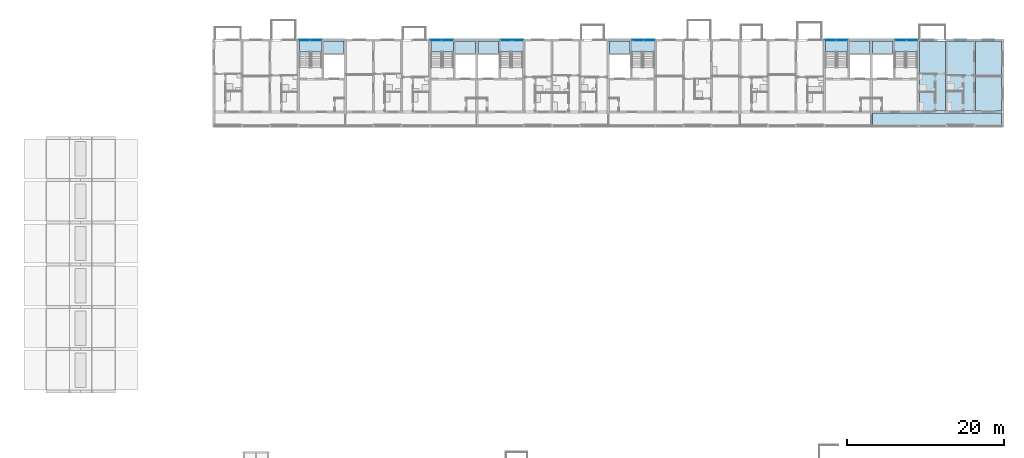
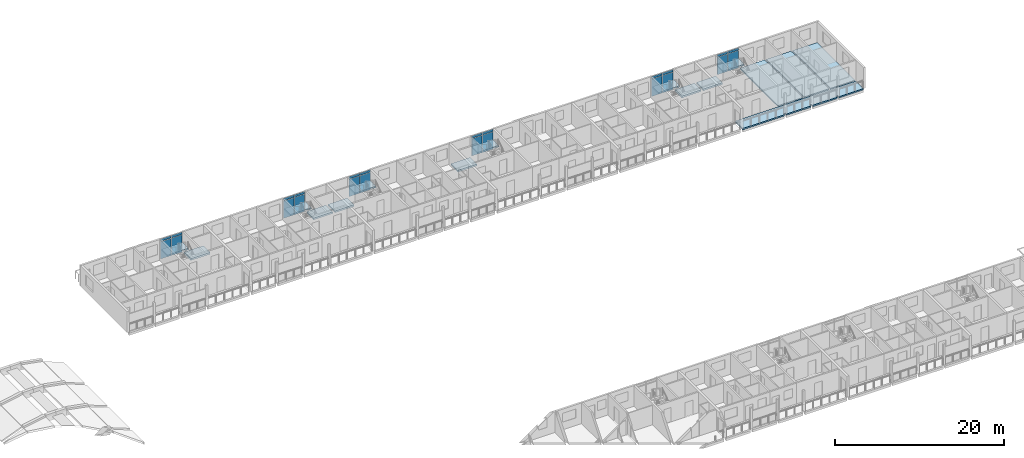
# One storey, part 28 of 93: 24 plates, 16 slabs, 12 elements without a shape of their own.
"""IFC4 building model written with IfcOpenShell, lengths in metres."""

from ifc_helpers import new_model, si_unit, direction, frame, origin, origin_2d, place, context, subcontext, project, spatial, polyline, rectangle, outline, extrude, material, layer, layer_set, type_object, element, aggregate, save


model = new_model("IFC4")

# Units and contexts
model_context = context("Model", 3, precision=1e-05, world=origin(), true_north=direction((0.0, 1.0)))
body_context = subcontext(model_context, "Body", "Model", "MODEL_VIEW")
ifc_project = project(units=[si_unit("LENGTHUNIT", "METRE"), si_unit("AREAUNIT", "SQUARE_METRE"), si_unit("VOLUMEUNIT", "CUBIC_METRE"), si_unit("PLANEANGLEUNIT", "RADIAN"), si_unit("MASSUNIT", "GRAM", prefix="KILO")], contexts=[model_context])

# Site, building, storey
site_placement = place(None, origin())
site = spatial("IfcSite", under=ifc_project, at=site_placement, CompositionType="ELEMENT")
building_placement = place(site_placement, origin())
building = spatial("IfcBuilding", under=site, at=building_placement, Name="Ridgestep Commons", CompositionType="ELEMENT")
storey_placement = place(building_placement, frame((0.0, 0.0, 18.0)))
storey = spatial("IfcBuildingStorey", under=building, at=storey_placement, Name="L06", CompositionType="ELEMENT", Elevation=18.0)

# Slab
ifc_material_1 = material(Name="Precast concrete C40/50", Category="concrete")
ifc_layer_1 = layer(ifc_material_1, 0.199951171875)
ifc_layer_set_1 = layer_set([ifc_layer_1], Name="Gallery slab 200")
slab_type_1 = type_object("IfcSlabType", Name="Gallery slab 200", PredefinedType="FLOOR", material=ifc_layer_set_1)
slab_1_placement = place(storey_placement, frame((0.0, 0.0, -0.199951171875)))
element("IfcSlab", 1, at=slab_1_placement, inside=storey, type_object=slab_type_1, Name="Gallery slab C6 L06", PredefinedType="FLOOR", context=body_context, shape_type="SweptSolid", body=[
    extrude(outline(polyline([(247.449951171875, 67.800048828125), (230.949951171875, 67.800048828125), (230.949951171875, 66.0), (236.675048828125, 66.0), (236.675048828125, 66.25), (236.925048828125, 66.25), (236.925048828125, 66.0), (240.27490234375, 66.0), (240.27490234375, 66.25), (240.52490234375, 66.25), (240.52490234375, 66.0), (243.875, 66.0), (243.875, 66.25), (244.125, 66.25), (244.125, 66.0), (247.449951171875, 66.0), (247.449951171875, 67.800048828125)])), origin(), (0.0, 0.0, 1.0), 0.199951171875),
])

# Curtain wall, plates
ifc_material_2 = material(Name="Aluminium 6063-T6 and glass", Category="aluminium")
curtain_wall_type = type_object("IfcCurtainWallType", Name="Curtain wall stair strip", PredefinedType="NOTDEFINED", material=ifc_material_2)
curtain_wall_1_placement = place(storey_placement, origin())
curtain_wall_1 = element("IfcCurtainWall", 2, at=curtain_wall_1_placement, inside=storey, type_object=curtain_wall_type, Name="Curtain wall C1C level 06", PredefinedType="NOTDEFINED")
ifc_material_3 = material(Name="Glass laminated 6/16/6 low-emissivity", Category="glass")
ifc_layer_2 = layer(ifc_material_3, 0.028076171875)
ifc_layer_set_2 = layer_set([ifc_layer_2], Name="Glazing panel 28")
plate_type_1 = type_object("IfcPlateType", Name="Glazing panel 28", PredefinedType="CURTAIN_PANEL", material=ifc_layer_set_2)
plate_1_placement = place(storey_placement, frame((158.371337890625, 77.080078125, 0.06005859375), z_axis=(0.0, 0.0, 1.0), x_axis=(1.0, 0.0, 0.0)))
plate_1 = element("IfcPlate", 3, at=plate_1_placement, type_object=plate_type_1, Name="CW1 panel 1.1", PredefinedType="CURTAIN_PANEL", context=body_context, shape_type="SweptSolid", body=[
    extrude(rectangle(XDim=1.422607421875, YDim=0.028076171875, at=origin_2d()), origin(), (0.0, 0.0, 1.0), 2.5),
])
plate_2_placement = place(storey_placement, frame((159.853759765625, 77.080078125, 0.06005859375), z_axis=(0.0, 0.0, 1.0), x_axis=(1.0, 0.0, 0.0)))
plate_2 = element("IfcPlate", 4, at=plate_2_placement, type_object=plate_type_1, Name="CW1 panel 2.1", PredefinedType="CURTAIN_PANEL", context=body_context, shape_type="SweptSolid", body=[
    extrude(rectangle(XDim=1.422607421875, YDim=0.028076171875, at=origin_2d()), origin(), (0.0, 0.0, 1.0), 2.5),
])

curtain_wall_2_placement = place(storey_placement, origin())
curtain_wall_2 = element("IfcCurtainWall", 5, at=curtain_wall_2_placement, inside=storey, type_object=curtain_wall_type, Name="Curtain wall C2C level 06", PredefinedType="NOTDEFINED")
plate_3_placement = place(storey_placement, frame((175.171142578125, 77.080078125, 0.06005859375), z_axis=(0.0, 0.0, 1.0), x_axis=(1.0, 0.0, 0.0)))
plate_3 = element("IfcPlate", 6, at=plate_3_placement, type_object=plate_type_1, Name="CW1 panel 1.1", PredefinedType="CURTAIN_PANEL", context=body_context, shape_type="SweptSolid", body=[
    extrude(rectangle(XDim=1.422607421875, YDim=0.028076171875, at=origin_2d()), origin(), (0.0, 0.0, 1.0), 2.5),
])
plate_4_placement = place(storey_placement, frame((176.65380859375, 77.080078125, 0.06005859375), z_axis=(0.0, 0.0, 1.0), x_axis=(1.0, 0.0, 0.0)))
plate_4 = element("IfcPlate", 7, at=plate_4_placement, type_object=plate_type_1, Name="CW1 panel 2.1", PredefinedType="CURTAIN_PANEL", context=body_context, shape_type="SweptSolid", body=[
    extrude(rectangle(XDim=1.422607421875, YDim=0.028076171875, at=origin_2d()), origin(), (0.0, 0.0, 1.0), 2.5),
])

curtain_wall_3_placement = place(storey_placement, origin())
curtain_wall_3 = element("IfcCurtainWall", 8, at=curtain_wall_3_placement, inside=storey, type_object=curtain_wall_type, Name="Curtain wall C3C level 06", PredefinedType="NOTDEFINED")
plate_5_placement = place(storey_placement, frame((184.146240234375, 77.080078125, 0.06005859375), z_axis=(0.0, 0.0, 1.0), x_axis=(1.0, 0.0, 0.0)))
plate_5 = element("IfcPlate", 9, at=plate_5_placement, type_object=plate_type_1, Name="CW1 panel 1.1", PredefinedType="CURTAIN_PANEL", context=body_context, shape_type="SweptSolid", body=[
    extrude(rectangle(XDim=1.422607421875, YDim=0.028076171875, at=origin_2d()), origin(), (0.0, 0.0, 1.0), 2.5),
])
plate_6_placement = place(storey_placement, frame((185.628662109375, 77.080078125, 0.06005859375), z_axis=(0.0, 0.0, 1.0), x_axis=(1.0, 0.0, 0.0)))
plate_6 = element("IfcPlate", 10, at=plate_6_placement, type_object=plate_type_1, Name="CW1 panel 2.1", PredefinedType="CURTAIN_PANEL", context=body_context, shape_type="SweptSolid", body=[
    extrude(rectangle(XDim=1.422607421875, YDim=0.028076171875, at=origin_2d()), origin(), (0.0, 0.0, 1.0), 2.5),
])

curtain_wall_4_placement = place(storey_placement, origin())
curtain_wall_4 = element("IfcCurtainWall", 11, at=curtain_wall_4_placement, inside=storey, type_object=curtain_wall_type, Name="Curtain wall C4C level 06", PredefinedType="NOTDEFINED")
plate_7_placement = place(storey_placement, frame((200.9462890625, 77.080078125, 0.06005859375), z_axis=(0.0, 0.0, 1.0), x_axis=(1.0, 0.0, 0.0)))
plate_7 = element("IfcPlate", 12, at=plate_7_placement, type_object=plate_type_1, Name="CW1 panel 1.1", PredefinedType="CURTAIN_PANEL", context=body_context, shape_type="SweptSolid", body=[
    extrude(rectangle(XDim=1.422607421875, YDim=0.028076171875, at=origin_2d()), origin(), (0.0, 0.0, 1.0), 2.5),
])
plate_8_placement = place(storey_placement, frame((202.4287109375, 77.080078125, 0.06005859375), z_axis=(0.0, 0.0, 1.0), x_axis=(1.0, 0.0, 0.0)))
plate_8 = element("IfcPlate", 13, at=plate_8_placement, type_object=plate_type_1, Name="CW1 panel 2.1", PredefinedType="CURTAIN_PANEL", context=body_context, shape_type="SweptSolid", body=[
    extrude(rectangle(XDim=1.422607421875, YDim=0.028076171875, at=origin_2d()), origin(), (0.0, 0.0, 1.0), 2.5),
])

curtain_wall_5_placement = place(storey_placement, origin())
curtain_wall_5 = element("IfcCurtainWall", 14, at=curtain_wall_5_placement, inside=storey, type_object=curtain_wall_type, Name="Curtain wall C5C level 06", PredefinedType="NOTDEFINED")
plate_9_placement = place(storey_placement, frame((225.5712890625, 77.080078125, 0.06005859375), z_axis=(0.0, 0.0, 1.0), x_axis=(1.0, 0.0, 0.0)))
plate_9 = element("IfcPlate", 15, at=plate_9_placement, type_object=plate_type_1, Name="CW1 panel 1.1", PredefinedType="CURTAIN_PANEL", context=body_context, shape_type="SweptSolid", body=[
    extrude(rectangle(XDim=1.422607421875, YDim=0.028076171875, at=origin_2d()), origin(), (0.0, 0.0, 1.0), 2.5),
])
plate_10_placement = place(storey_placement, frame((227.0537109375, 77.080078125, 0.06005859375), z_axis=(0.0, 0.0, 1.0), x_axis=(1.0, 0.0, 0.0)))
plate_10 = element("IfcPlate", 16, at=plate_10_placement, type_object=plate_type_1, Name="CW1 panel 2.1", PredefinedType="CURTAIN_PANEL", context=body_context, shape_type="SweptSolid", body=[
    extrude(rectangle(XDim=1.422607421875, YDim=0.028076171875, at=origin_2d()), origin(), (0.0, 0.0, 1.0), 2.5),
])

curtain_wall_6_placement = place(storey_placement, origin())
curtain_wall_6 = element("IfcCurtainWall", 17, at=curtain_wall_6_placement, inside=storey, type_object=curtain_wall_type, Name="Curtain wall C6C level 06", PredefinedType="NOTDEFINED")
plate_11_placement = place(storey_placement, frame((234.546142578125, 77.080078125, 0.06005859375), z_axis=(0.0, 0.0, 1.0), x_axis=(1.0, 0.0, 0.0)))
plate_11 = element("IfcPlate", 18, at=plate_11_placement, type_object=plate_type_1, Name="CW1 panel 1.1", PredefinedType="CURTAIN_PANEL", context=body_context, shape_type="SweptSolid", body=[
    extrude(rectangle(XDim=1.422607421875, YDim=0.028076171875, at=origin_2d()), origin(), (0.0, 0.0, 1.0), 2.5),
])
plate_12_placement = place(storey_placement, frame((236.02880859375, 77.080078125, 0.06005859375), z_axis=(0.0, 0.0, 1.0), x_axis=(1.0, 0.0, 0.0)))
plate_12 = element("IfcPlate", 19, at=plate_12_placement, type_object=plate_type_1, Name="CW1 panel 2.1", PredefinedType="CURTAIN_PANEL", context=body_context, shape_type="SweptSolid", body=[
    extrude(rectangle(XDim=1.422607421875, YDim=0.028076171875, at=origin_2d()), origin(), (0.0, 0.0, 1.0), 2.5),
])

# Slabs
ifc_material_4 = material(Name="Precast concrete C50/60", Category="concrete")
ifc_layer_3 = layer(ifc_material_4, 0.199951171875)
ifc_layer_set_3 = layer_set([ifc_layer_3], Name="Hollow-core plank 200")
slab_type_2 = type_object("IfcSlabType", Name="Hollow-core plank 200", PredefinedType="FLOOR", material=ifc_layer_set_3)
slab_2_placement = place(storey_placement, frame((0.0, 0.0, -0.199951171875)))
element("IfcSlab", 20, at=slab_2_placement, inside=storey, type_object=slab_type_2, Name="Floor plank C6T3 L06", PredefinedType="FLOOR", context=body_context, shape_type="SweptSolid", body=[
    extrude(outline(polyline([(240.300048828125, 68.0), (240.300048828125, 77.0), (236.925048828125, 77.0), (236.925048828125, 68.0), (240.300048828125, 68.0)])), origin(), (0.0, 0.0, 1.0), 0.199951171875),
])
slab_3_placement = place(storey_placement, frame((0.0, 0.0, -0.199951171875)))
element("IfcSlab", 21, at=slab_3_placement, inside=storey, type_object=slab_type_2, Name="Floor plank C6T2 L06", PredefinedType="FLOOR", context=body_context, shape_type="SweptSolid", body=[
    extrude(outline(polyline([(243.89990234375, 68.0), (243.89990234375, 77.0), (240.5, 77.0), (240.5, 68.0), (243.89990234375, 68.0)])), origin(), (0.0, 0.0, 1.0), 0.199951171875),
])
slab_4_placement = place(storey_placement, frame((0.0, 0.0, -0.199951171875)))
element("IfcSlab", 22, at=slab_4_placement, inside=storey, type_object=slab_type_2, Name="Floor plank C6T1 L06", PredefinedType="FLOOR", context=body_context, shape_type="SweptSolid", body=[
    extrude(outline(polyline([(247.449951171875, 68.0), (247.449951171875, 77.0), (244.10009765625, 77.0), (244.10009765625, 68.0), (247.449951171875, 68.0)])), origin(), (0.0, 0.0, 1.0), 0.199951171875),
])
ifc_material_5 = material(Name="Precast concrete C50/60", Category="concrete")
ifc_layer_4 = layer(ifc_material_5, 0.25)
ifc_layer_set_4 = layer_set([ifc_layer_4], Name="Hollow-core plank 250")
slab_type_3 = type_object("IfcSlabType", Name="Hollow-core plank 250", PredefinedType="FLOOR", material=ifc_layer_set_4)
slab_5_placement = place(storey_placement, frame((0.0, 0.0, -0.25)))
element("IfcSlab", 23, at=slab_5_placement, inside=storey, type_object=slab_type_3, Name="Floor plank C1C L06", PredefinedType="FLOOR", context=body_context, shape_type="SweptSolid", body=[
    extrude(outline(polyline([(163.449951171875, 75.39990234375), (163.449951171875, 77.0), (160.824951171875, 77.0), (160.824951171875, 75.39990234375), (163.449951171875, 75.39990234375)])), origin(), (0.0, 0.0, 1.0), 0.25),
])
slab_6_placement = place(storey_placement, frame((0.0, 0.0, -0.25)))
element("IfcSlab", 24, at=slab_6_placement, inside=storey, type_object=slab_type_3, Name="Floor plank C2C L06", PredefinedType="FLOOR", context=body_context, shape_type="SweptSolid", body=[
    extrude(outline(polyline([(180.25, 75.39990234375), (180.25, 77.0), (177.625, 77.0), (177.625, 75.39990234375), (180.25, 75.39990234375)])), origin(), (0.0, 0.0, 1.0), 0.25),
])
slab_7_placement = place(storey_placement, frame((0.0, 0.0, -0.25)))
element("IfcSlab", 25, at=slab_7_placement, inside=storey, type_object=slab_type_3, Name="Floor plank C3C L06", PredefinedType="FLOOR", context=body_context, shape_type="SweptSolid", body=[
    extrude(outline(polyline([(183.175048828125, 77.0), (180.550048828125, 77.0), (180.550048828125, 75.39990234375), (183.175048828125, 75.39990234375), (183.175048828125, 77.0)])), origin(), (0.0, 0.0, 1.0), 0.25),
])
slab_8_placement = place(storey_placement, frame((0.0, 0.0, -0.25)))
element("IfcSlab", 26, at=slab_8_placement, inside=storey, type_object=slab_type_3, Name="Floor plank C4C L06", PredefinedType="FLOOR", context=body_context, shape_type="SweptSolid", body=[
    extrude(outline(polyline([(199.97509765625, 77.0), (197.35009765625, 77.0), (197.35009765625, 75.39990234375), (199.97509765625, 75.39990234375), (199.97509765625, 77.0)])), origin(), (0.0, 0.0, 1.0), 0.25),
])
slab_9_placement = place(storey_placement, frame((0.0, 0.0, -0.25)))
element("IfcSlab", 27, at=slab_9_placement, inside=storey, type_object=slab_type_3, Name="Floor plank C5C L06", PredefinedType="FLOOR", context=body_context, shape_type="SweptSolid", body=[
    extrude(outline(polyline([(230.64990234375, 75.39990234375), (230.64990234375, 77.0), (228.02490234375, 77.0), (228.02490234375, 75.39990234375), (230.64990234375, 75.39990234375)])), origin(), (0.0, 0.0, 1.0), 0.25),
])
slab_10_placement = place(storey_placement, frame((0.0, 0.0, -0.25)))
element("IfcSlab", 28, at=slab_10_placement, inside=storey, type_object=slab_type_3, Name="Floor plank C6C L06", PredefinedType="FLOOR", context=body_context, shape_type="SweptSolid", body=[
    extrude(outline(polyline([(233.574951171875, 77.0), (230.949951171875, 77.0), (230.949951171875, 75.39990234375), (233.574951171875, 75.39990234375), (233.574951171875, 77.0)])), origin(), (0.0, 0.0, 1.0), 0.25),
])

# Plate
ifc_material_6 = material(Name="Aluminium 6063-T6 and mineral wool", Category="aluminium")
ifc_layer_5 = layer(ifc_material_6, 0.0400390625)
ifc_layer_set_5 = layer_set([ifc_layer_5], Name="Spandrel panel 40")
plate_type_2 = type_object("IfcPlateType", Name="Spandrel panel 40", PredefinedType="CURTAIN_PANEL", material=ifc_layer_set_5)
plate_13_placement = place(storey_placement, frame((158.371337890625, 77.080078125, 2.6201171875), z_axis=(0.0, 0.0, 1.0), x_axis=(1.0, 0.0, 0.0)))
plate_13 = element("IfcPlate", 29, at=plate_13_placement, type_object=plate_type_2, Name="CW1 panel 1.2", PredefinedType="CURTAIN_PANEL", context=body_context, shape_type="SweptSolid", body=[
    extrude(rectangle(XDim=1.422607421875, YDim=0.0400390625, at=origin_2d()), origin(), (0.0, 0.0, 1.0), 0.320068359375),
])

plate_14_placement = place(storey_placement, frame((159.853759765625, 77.080078125, 2.6201171875), z_axis=(0.0, 0.0, 1.0), x_axis=(1.0, 0.0, 0.0)))
plate_14 = element("IfcPlate", 30, at=plate_14_placement, type_object=plate_type_2, Name="CW1 panel 2.2", PredefinedType="CURTAIN_PANEL", context=body_context, shape_type="SweptSolid", body=[
    extrude(rectangle(XDim=1.422607421875, YDim=0.0400390625, at=origin_2d()), origin(), (0.0, 0.0, 1.0), 0.320068359375),
])

aggregate(curtain_wall_1, [plate_1, plate_13, plate_2, plate_14])

plate_15_placement = place(storey_placement, frame((175.171142578125, 77.080078125, 2.6201171875), z_axis=(0.0, 0.0, 1.0), x_axis=(1.0, 0.0, 0.0)))
plate_15 = element("IfcPlate", 31, at=plate_15_placement, type_object=plate_type_2, Name="CW1 panel 1.2", PredefinedType="CURTAIN_PANEL", context=body_context, shape_type="SweptSolid", body=[
    extrude(rectangle(XDim=1.422607421875, YDim=0.0400390625, at=origin_2d()), origin(), (0.0, 0.0, 1.0), 0.320068359375),
])

plate_16_placement = place(storey_placement, frame((176.65380859375, 77.080078125, 2.6201171875), z_axis=(0.0, 0.0, 1.0), x_axis=(1.0, 0.0, 0.0)))
plate_16 = element("IfcPlate", 32, at=plate_16_placement, type_object=plate_type_2, Name="CW1 panel 2.2", PredefinedType="CURTAIN_PANEL", context=body_context, shape_type="SweptSolid", body=[
    extrude(rectangle(XDim=1.422607421875, YDim=0.0400390625, at=origin_2d()), origin(), (0.0, 0.0, 1.0), 0.320068359375),
])

aggregate(curtain_wall_2, [plate_3, plate_15, plate_4, plate_16])

plate_17_placement = place(storey_placement, frame((184.146240234375, 77.080078125, 2.6201171875), z_axis=(0.0, 0.0, 1.0), x_axis=(1.0, 0.0, 0.0)))
plate_17 = element("IfcPlate", 33, at=plate_17_placement, type_object=plate_type_2, Name="CW1 panel 1.2", PredefinedType="CURTAIN_PANEL", context=body_context, shape_type="SweptSolid", body=[
    extrude(rectangle(XDim=1.422607421875, YDim=0.0400390625, at=origin_2d()), origin(), (0.0, 0.0, 1.0), 0.320068359375),
])

plate_18_placement = place(storey_placement, frame((185.628662109375, 77.080078125, 2.6201171875), z_axis=(0.0, 0.0, 1.0), x_axis=(1.0, 0.0, 0.0)))
plate_18 = element("IfcPlate", 34, at=plate_18_placement, type_object=plate_type_2, Name="CW1 panel 2.2", PredefinedType="CURTAIN_PANEL", context=body_context, shape_type="SweptSolid", body=[
    extrude(rectangle(XDim=1.422607421875, YDim=0.0400390625, at=origin_2d()), origin(), (0.0, 0.0, 1.0), 0.320068359375),
])

aggregate(curtain_wall_3, [plate_5, plate_17, plate_6, plate_18])

plate_19_placement = place(storey_placement, frame((200.9462890625, 77.080078125, 2.6201171875), z_axis=(0.0, 0.0, 1.0), x_axis=(1.0, 0.0, 0.0)))
plate_19 = element("IfcPlate", 35, at=plate_19_placement, type_object=plate_type_2, Name="CW1 panel 1.2", PredefinedType="CURTAIN_PANEL", context=body_context, shape_type="SweptSolid", body=[
    extrude(rectangle(XDim=1.422607421875, YDim=0.0400390625, at=origin_2d()), origin(), (0.0, 0.0, 1.0), 0.320068359375),
])

plate_20_placement = place(storey_placement, frame((202.4287109375, 77.080078125, 2.6201171875), z_axis=(0.0, 0.0, 1.0), x_axis=(1.0, 0.0, 0.0)))
plate_20 = element("IfcPlate", 36, at=plate_20_placement, type_object=plate_type_2, Name="CW1 panel 2.2", PredefinedType="CURTAIN_PANEL", context=body_context, shape_type="SweptSolid", body=[
    extrude(rectangle(XDim=1.422607421875, YDim=0.0400390625, at=origin_2d()), origin(), (0.0, 0.0, 1.0), 0.320068359375),
])

aggregate(curtain_wall_4, [plate_7, plate_19, plate_8, plate_20])

plate_21_placement = place(storey_placement, frame((225.5712890625, 77.080078125, 2.6201171875), z_axis=(0.0, 0.0, 1.0), x_axis=(1.0, 0.0, 0.0)))
plate_21 = element("IfcPlate", 37, at=plate_21_placement, type_object=plate_type_2, Name="CW1 panel 1.2", PredefinedType="CURTAIN_PANEL", context=body_context, shape_type="SweptSolid", body=[
    extrude(rectangle(XDim=1.422607421875, YDim=0.0400390625, at=origin_2d()), origin(), (0.0, 0.0, 1.0), 0.320068359375),
])

plate_22_placement = place(storey_placement, frame((227.0537109375, 77.080078125, 2.6201171875), z_axis=(0.0, 0.0, 1.0), x_axis=(1.0, 0.0, 0.0)))
plate_22 = element("IfcPlate", 38, at=plate_22_placement, type_object=plate_type_2, Name="CW1 panel 2.2", PredefinedType="CURTAIN_PANEL", context=body_context, shape_type="SweptSolid", body=[
    extrude(rectangle(XDim=1.422607421875, YDim=0.0400390625, at=origin_2d()), origin(), (0.0, 0.0, 1.0), 0.320068359375),
])

aggregate(curtain_wall_5, [plate_9, plate_21, plate_10, plate_22])

plate_23_placement = place(storey_placement, frame((234.546142578125, 77.080078125, 2.6201171875), z_axis=(0.0, 0.0, 1.0), x_axis=(1.0, 0.0, 0.0)))
plate_23 = element("IfcPlate", 39, at=plate_23_placement, type_object=plate_type_2, Name="CW1 panel 1.2", PredefinedType="CURTAIN_PANEL", context=body_context, shape_type="SweptSolid", body=[
    extrude(rectangle(XDim=1.422607421875, YDim=0.0400390625, at=origin_2d()), origin(), (0.0, 0.0, 1.0), 0.320068359375),
])

plate_24_placement = place(storey_placement, frame((236.02880859375, 77.080078125, 2.6201171875), z_axis=(0.0, 0.0, 1.0), x_axis=(1.0, 0.0, 0.0)))
plate_24 = element("IfcPlate", 40, at=plate_24_placement, type_object=plate_type_2, Name="CW1 panel 2.2", PredefinedType="CURTAIN_PANEL", context=body_context, shape_type="SweptSolid", body=[
    extrude(rectangle(XDim=1.422607421875, YDim=0.0400390625, at=origin_2d()), origin(), (0.0, 0.0, 1.0), 0.320068359375),
])

aggregate(curtain_wall_6, [plate_11, plate_23, plate_12, plate_24])

# Stair, slab
ifc_material_7 = material(Name="Precast concrete C40/50", Category="concrete")
stair_type = type_object("IfcStairType", Name="Escape stair 1400", PredefinedType="HALF_TURN_STAIR", material=ifc_material_7)
stair_1_placement = place(storey_placement, origin())
stair_1 = element("IfcStair", 41, at=stair_1_placement, inside=storey, type_object=stair_type, Name="L06 Escape stair C1C", PredefinedType="HALF_TURN_STAIR")
ifc_material_8 = material(Name="Precast concrete C40/50", Category="concrete")
ifc_layer_6 = layer(ifc_material_8, 0.199951171875)
ifc_layer_set_6 = layer_set([ifc_layer_6], Name="Stair landing 200")
slab_type_4 = type_object("IfcSlabType", Name="Stair landing 200", PredefinedType="LANDING", material=ifc_layer_set_6)
slab_11_placement = place(storey_placement, frame((0.0, 0.0, 1.300048828125)))
slab_11 = element("IfcSlab", 42, at=slab_11_placement, type_object=slab_type_4, Name="C1C landing 1", PredefinedType="LANDING", context=body_context, shape_type="SweptSolid", body=[
    extrude(outline(polyline([(160.625, 75.56005859375), (160.625, 77.0), (157.72509765625, 77.0), (157.72509765625, 75.56005859375), (160.625, 75.56005859375)])), origin(), (0.0, 0.0, 1.0), 0.199951171875),
])
aggregate(stair_1, [slab_11])

stair_2_placement = place(storey_placement, origin())
stair_2 = element("IfcStair", 43, at=stair_2_placement, inside=storey, type_object=stair_type, Name="L06 Escape stair C2C", PredefinedType="HALF_TURN_STAIR")
slab_12_placement = place(storey_placement, frame((0.0, 0.0, 1.300048828125)))
slab_12 = element("IfcSlab", 44, at=slab_12_placement, type_object=slab_type_4, Name="C2C landing 1", PredefinedType="LANDING", context=body_context, shape_type="SweptSolid", body=[
    extrude(outline(polyline([(177.425048828125, 75.56005859375), (177.425048828125, 77.0), (174.52490234375, 77.0), (174.52490234375, 75.56005859375), (177.425048828125, 75.56005859375)])), origin(), (0.0, 0.0, 1.0), 0.199951171875),
])
aggregate(stair_2, [slab_12])

stair_3_placement = place(storey_placement, origin())
stair_3 = element("IfcStair", 45, at=stair_3_placement, inside=storey, type_object=stair_type, Name="L06 Escape stair C3C", PredefinedType="HALF_TURN_STAIR")
slab_13_placement = place(storey_placement, frame((0.0, 0.0, 1.300048828125)))
slab_13 = element("IfcSlab", 46, at=slab_13_placement, type_object=slab_type_4, Name="C3C landing 1", PredefinedType="LANDING", context=body_context, shape_type="SweptSolid", body=[
    extrude(outline(polyline([(186.27490234375, 75.56005859375), (186.27490234375, 77.0), (183.375, 77.0), (183.375, 75.56005859375), (186.27490234375, 75.56005859375)])), origin(), (0.0, 0.0, 1.0), 0.199951171875),
])
aggregate(stair_3, [slab_13])

stair_4_placement = place(storey_placement, origin())
stair_4 = element("IfcStair", 47, at=stair_4_placement, inside=storey, type_object=stair_type, Name="L06 Escape stair C4C", PredefinedType="HALF_TURN_STAIR")
slab_14_placement = place(storey_placement, frame((0.0, 0.0, 1.300048828125)))
slab_14 = element("IfcSlab", 48, at=slab_14_placement, type_object=slab_type_4, Name="C4C landing 1", PredefinedType="LANDING", context=body_context, shape_type="SweptSolid", body=[
    extrude(outline(polyline([(203.074951171875, 75.56005859375), (203.074951171875, 77.0), (200.175048828125, 77.0), (200.175048828125, 75.56005859375), (203.074951171875, 75.56005859375)])), origin(), (0.0, 0.0, 1.0), 0.199951171875),
])
aggregate(stair_4, [slab_14])

stair_5_placement = place(storey_placement, origin())
stair_5 = element("IfcStair", 49, at=stair_5_placement, inside=storey, type_object=stair_type, Name="L06 Escape stair C5C", PredefinedType="HALF_TURN_STAIR")
slab_15_placement = place(storey_placement, frame((0.0, 0.0, 1.300048828125)))
slab_15 = element("IfcSlab", 50, at=slab_15_placement, type_object=slab_type_4, Name="C5C landing 1", PredefinedType="LANDING", context=body_context, shape_type="SweptSolid", body=[
    extrude(outline(polyline([(227.824951171875, 75.56005859375), (227.824951171875, 77.0), (224.925048828125, 77.0), (224.925048828125, 75.56005859375), (227.824951171875, 75.56005859375)])), origin(), (0.0, 0.0, 1.0), 0.199951171875),
])
aggregate(stair_5, [slab_15])

stair_6_placement = place(storey_placement, origin())
stair_6 = element("IfcStair", 51, at=stair_6_placement, inside=storey, type_object=stair_type, Name="L06 Escape stair C6C", PredefinedType="HALF_TURN_STAIR")
slab_16_placement = place(storey_placement, frame((0.0, 0.0, 1.300048828125)))
slab_16 = element("IfcSlab", 52, at=slab_16_placement, type_object=slab_type_4, Name="C6C landing 1", PredefinedType="LANDING", context=body_context, shape_type="SweptSolid", body=[
    extrude(outline(polyline([(236.675048828125, 75.56005859375), (236.675048828125, 77.0), (233.77490234375, 77.0), (233.77490234375, 75.56005859375), (236.675048828125, 75.56005859375)])), origin(), (0.0, 0.0, 1.0), 0.199951171875),
])
aggregate(stair_6, [slab_16])

save(model, "model.ifc")
